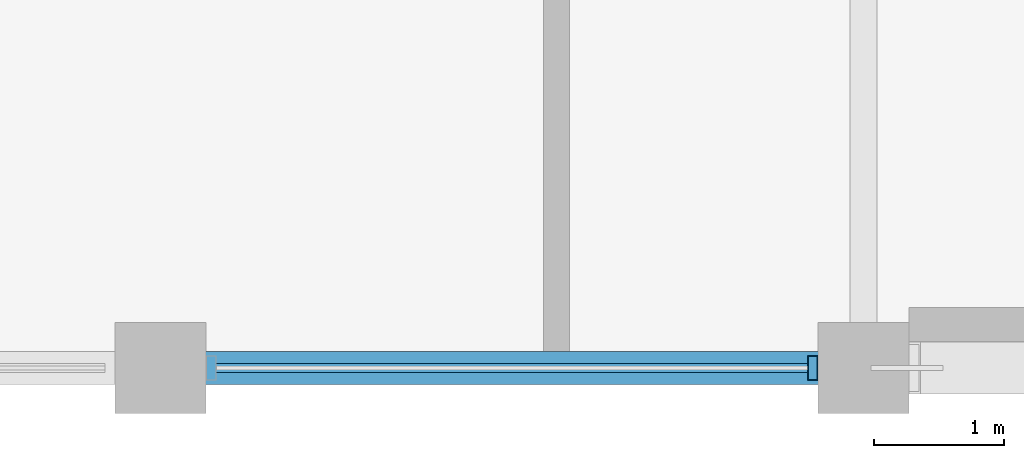
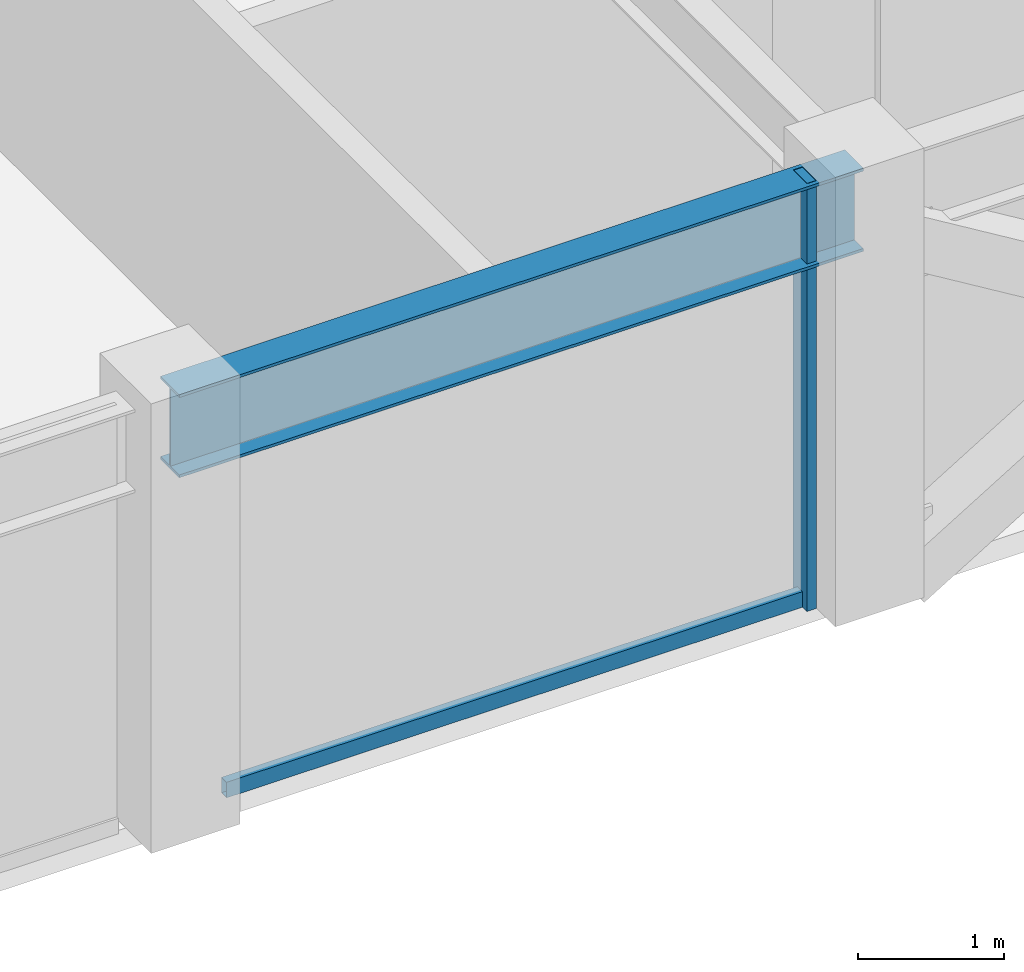
# One storey, part 3 of 30: 2 members, 1 beam, 1 element without a shape of its own.
"""IFC4 building model written with IfcOpenShell, lengths in metres."""

import ifcopenshell
import ifcopenshell.guid

model = None  # the IFC model being written
_history = None  # IfcOwnerHistory: only IFC2X3 demands one
_inside = {}  # id of a spatial element -> (the spatial element, [elements in it])
_under = {}  # id of a project, library or spatial element -> (it, [spatial elements below it])
_declared = {}  # id of a project -> (the project, [libraries it declares])
_typed = {}  # id of a type object -> (the type object, [elements of that type])
_made_of = {}  # id of a material, layer set ... -> (it, [elements and type objects made of it])


def new_model(schema):
    """Start an empty IFC model of exactly this schema.

    Asked for "IFC4X3", IfcOpenShell would pick the latest addendum, in which some entities
    have other attributes; the version numbers below select the first issue.
    IFC2X3 requires an IfcOwnerHistory on every rooted entity: one is made here for all.
    """
    global model, _history
    if schema == "IFC4X3":
        model = ifcopenshell.file(schema_version=(4, 3, 0, 0))
    else:
        model = ifcopenshell.file(schema=schema)
    _inside.clear()
    _under.clear()
    _declared.clear()
    _typed.clear()
    _made_of.clear()
    _history = None
    if model.schema == "IFC2X3":
        org = make("IfcOrganization", Name="unknown")
        user = make(
            "IfcPersonAndOrganization",
            ThePerson=make("IfcPerson", FamilyName="unknown"),
            TheOrganization=org,
        )
        app = make(
            "IfcApplication",
            ApplicationDeveloper=org,
            Version="unknown",
            ApplicationFullName="unknown",
            ApplicationIdentifier="unknown",
        )
        _history = make(
            "IfcOwnerHistory",
            OwningUser=user,
            OwningApplication=app,
            ChangeAction="ADDED",
            CreationDate=0,
        )
    return model


def make(cls, **values):
    """One entity of the class cls with the attributes given. An attribute that is None is left unset."""
    return model.create_entity(
        cls, **{name: value for name, value in values.items() if value is not None}
    )


def rooted(cls, **values):
    """An entity with a GlobalId (a new one), such as an element, a storey or a relation."""
    return make(cls, GlobalId=ifcopenshell.guid.new(), OwnerHistory=_history, **values)


def si_unit(unit_type, name, prefix=None):
    """IfcSIUnit, for example si_unit("LENGTHUNIT", "METRE", prefix="MILLI")."""
    return make("IfcSIUnit", UnitType=unit_type, Prefix=prefix, Name=name)


def assignment(units):
    """IfcUnitAssignment: the units of a project."""
    return None if units is None else make("IfcUnitAssignment", Units=units)


def point(xyz):
    """IfcCartesianPoint."""
    return None if xyz is None else make("IfcCartesianPoint", Coordinates=xyz)


def direction(xyz):
    """IfcDirection."""
    return None if xyz is None else make("IfcDirection", DirectionRatios=xyz)


def frame(location, z_axis=None, x_axis=None):
    """IfcAxis2Placement3D, a coordinate frame: its origin and axes. An axis left out is left unset."""
    return make(
        "IfcAxis2Placement3D",
        Location=point(location),
        Axis=direction(z_axis),
        RefDirection=direction(x_axis),
    )


def frame_2d(location, x_axis=None):
    """IfcAxis2Placement2D, a coordinate frame in the plane: its origin and x axis."""
    return make(
        "IfcAxis2Placement2D", Location=point(location), RefDirection=direction(x_axis)
    )


def origin():
    """The frame at (0, 0, 0) with its axes left unset."""
    return frame((0.0, 0.0, 0.0))


def origin_2d():
    """The frame at (0, 0) in the plane with its x axis left unset."""
    return frame_2d((0.0, 0.0))


def place(relative_to, where):
    """IfcLocalPlacement: puts the frame where relative to a parent placement (None: the world)."""
    return make(
        "IfcLocalPlacement", PlacementRelTo=relative_to, RelativePlacement=where
    )


def context(
    kind, dimensions, precision=None, world=None, true_north=None, identifier=None
):
    """IfcGeometricRepresentationContext, for example the 3D "Model" context."""
    return make(
        "IfcGeometricRepresentationContext",
        ContextIdentifier=identifier,
        ContextType=kind,
        CoordinateSpaceDimension=dimensions,
        Precision=precision,
        WorldCoordinateSystem=world,
        TrueNorth=true_north,
    )


def subcontext(parent, identifier, kind, view, scale=None):
    """IfcGeometricRepresentationSubContext, for example "Body" below "Model"."""
    return make(
        "IfcGeometricRepresentationSubContext",
        ContextIdentifier=identifier,
        ContextType=kind,
        ParentContext=parent,
        TargetScale=scale,
        TargetView=view,
    )


def project(units=None, contexts=None):
    """IfcProject with its units and contexts."""
    return rooted(
        "IfcProject",
        Name="project",
        RepresentationContexts=contexts,
        UnitsInContext=assignment(units),
    )


def spatial(cls, under=None, at=None, **own):
    """A site, building, storey or space (cls), placed at a placement, below another one or the project."""
    s = rooted(cls, ObjectPlacement=at, **own)
    if under is not None:
        _under.setdefault(under.id(), (under, []))[1].append(s)
    return s


def profile(cls, at=None, kind="AREA", **sizes):
    """A parametric profile (cls). Its sizes go by their IFC names, for example OverallWidth=200.0."""
    return make(cls, ProfileType=kind, Position=at, **sizes)


def hollow_rectangle(**sizes):
    """IfcRectangleHollowProfileDef."""
    return profile("IfcRectangleHollowProfileDef", **sizes)


def i_section(**sizes):
    """IfcIShapeProfileDef."""
    return profile("IfcIShapeProfileDef", **sizes)


def extrude(swept, where, along, depth):
    """IfcExtrudedAreaSolid: the profile swept, set in the frame where, extruded along a direction by depth."""
    return make(
        "IfcExtrudedAreaSolid",
        SweptArea=swept,
        Position=where,
        ExtrudedDirection=direction(along),
        Depth=depth,
    )


def shape(context_of_items, identifier, shape_type, items):
    """IfcShapeRepresentation: the items that make up one representation, for example the "Body"."""
    return make(
        "IfcShapeRepresentation",
        ContextOfItems=context_of_items,
        RepresentationIdentifier=identifier,
        RepresentationType=shape_type,
        Items=items,
    )


def material(Name=None, Category=None):
    """IfcMaterial."""
    return make("IfcMaterial", Name=Name, Category=Category)


def layer(
    of_material, thickness, ventilated=None, Name=None, Category=None, Priority=None
):
    """IfcMaterialLayer: one layer of a wall or slab, of a material (None: an air gap)."""
    return make(
        "IfcMaterialLayer",
        Material=of_material,
        LayerThickness=thickness,
        IsVentilated=ventilated,
        Name=Name,
        Category=Category,
        Priority=Priority,
    )


def layer_set(layers, Name=None):
    """IfcMaterialLayerSet."""
    return make("IfcMaterialLayerSet", MaterialLayers=layers, LayerSetName=Name)


def material_profile(
    of_material, cross_section, Name=None, Category=None, Priority=None
):
    """IfcMaterialProfile: a cross section and its material."""
    return make(
        "IfcMaterialProfile",
        Name=Name,
        Material=of_material,
        Profile=cross_section,
        Priority=Priority,
        Category=Category,
    )


def profile_set(profiles, Name=None, composite=None):
    """IfcMaterialProfileSet."""
    return make(
        "IfcMaterialProfileSet",
        Name=Name,
        MaterialProfiles=profiles,
        CompositeProfile=composite,
    )


def made_of(thing, what):
    """Note that an element or type object is made of a material, layer set ...; save() writes the relation."""
    if what is not None:
        _made_of.setdefault(what.id(), (what, []))[1].append(thing)
    return thing


def type_object(cls, material=None, **own):
    """A type object (cls), such as IfcWallType, which elements share."""
    return made_of(rooted(cls, **own), material)


def element(
    cls,
    number,
    at=None,
    inside=None,
    cuts=None,
    type_object=None,
    material=None,
    context=None,
    identifier="Body",
    shape_type=None,
    held_by="IfcProductDefinitionShape",
    body=None,
    shapes=None,
    **own,
):
    """One element of the class cls, such as IfcWall. Its Tag is "e" and its number.

    at: its placement. inside: the storey or other place that contains it. cuts: it is an
    opening in that element (IfcRelVoidsElement). A single representation is given by context,
    identifier, shape_type and body (its items); several are given by shapes. held_by: the class
    of the entity that holds the representations. save() writes the other relations.
    """
    e = rooted(cls, Tag="e%d" % number, ObjectPlacement=at, **own)
    if body is not None:
        shapes = [shape(context, identifier, shape_type, body)]
    if shapes is not None:
        e.Representation = make(held_by, Representations=shapes)
    if inside is not None:
        _inside.setdefault(inside.id(), (inside, []))[1].append(e)
    if cuts is not None:
        rooted(
            "IfcRelVoidsElement", RelatingBuildingElement=cuts, RelatedOpeningElement=e
        )
    if type_object is not None:
        _typed.setdefault(type_object.id(), (type_object, []))[1].append(e)
    return made_of(e, material)


def aggregate(whole, parts):
    """IfcRelAggregates: a whole, such as a stair, and the parts it consists of."""
    return rooted("IfcRelAggregates", RelatingObject=whole, RelatedObjects=parts)


def save(model, path):
    """Write the relations noted so far, then the file.

    IfcRelAggregates (storeys below a building ...), IfcRelContainedInSpatialStructure (elements
    in a storey), IfcRelDefinesByType, IfcRelAssociatesMaterial and IfcRelDeclares: one each for
    every whole, place, type object, material and project.
    """
    for whole, parts in _under.values():
        aggregate(whole, parts)
    for where, things in _inside.values():
        rooted(
            "IfcRelContainedInSpatialStructure",
            RelatedElements=things,
            RelatingStructure=where,
        )
    for kind, things in _typed.values():
        rooted("IfcRelDefinesByType", RelatedObjects=things, RelatingType=kind)
    for what, things in _made_of.values():
        rooted("IfcRelAssociatesMaterial", RelatedObjects=things, RelatingMaterial=what)
    for by, libraries in _declared.values():
        rooted("IfcRelDeclares", RelatingContext=by, RelatedDefinitions=libraries)
    model.write(path)


model = new_model("IFC4")

# Units and contexts
model_context = context("Model", 3, precision=1e-05, world=origin(), true_north=direction((0.0, 1.0)))
body_context = subcontext(model_context, "Body", "Model", "MODEL_VIEW")
ifc_project = project(units=[si_unit("LENGTHUNIT", "METRE"), si_unit("AREAUNIT", "SQUARE_METRE"), si_unit("VOLUMEUNIT", "CUBIC_METRE"), si_unit("PLANEANGLEUNIT", "RADIAN"), si_unit("MASSUNIT", "GRAM", prefix="KILO")], contexts=[model_context])

# Site, building, storey
site_placement = place(None, origin())
site = spatial("IfcSite", under=ifc_project, at=site_placement, CompositionType="ELEMENT")
building_placement = place(site_placement, origin())
building = spatial("IfcBuilding", under=site, at=building_placement, Name="Surkhivell Harbour Commons", CompositionType="ELEMENT")
storey_placement = place(building_placement, frame((0.0, 0.0, 300.0)))
storey = spatial("IfcBuildingStorey", under=building, at=storey_placement, Name="L78", CompositionType="ELEMENT", Elevation=300.0)

# Beam
ifc_material_1 = material(Name="Steel S355", Category="steel")
ifc_material_profile_1 = material_profile(ifc_material_1, i_section(OverallWidth=0.256103515625, OverallDepth=0.693115234375, WebThickness=0.014404296875, FlangeThickness=0.023681640625, at=origin_2d()), Name="UB686x254x170")
ifc_profile_set_1 = profile_set([ifc_material_profile_1], Name="Steel S355")
beam_type = type_object("IfcBeamType", Name="BM-SPN-686", PredefinedType="SPANDREL", material=ifc_profile_set_1)
beam_placement = place(storey_placement, frame((-16.199951171875, -21.60009765625, 3.223388671875), z_axis=(1.0, 0.0, 0.0), x_axis=(0.0, 1.0, 0.0)))
element("IfcBeam", 1, at=beam_placement, inside=storey, type_object=beam_type, Name="L78 Tube Spandrel (-16.2,-21.6)", PredefinedType="SPANDREL", context=body_context, shape_type="SweptSolid", body=[
    extrude(i_section(OverallWidth=0.256103515625, OverallDepth=0.693115234375, WebThickness=0.014404296875, FlangeThickness=0.023681640625, at=origin_2d()), origin(), (0.0, 0.0, 1.0), 5.39990234375),
])

# Curtain wall, members
ifc_material_2 = material(Name="Anodised pale-metal aluminium and insulated glazing", Category="aluminium")
ifc_layer = layer(ifc_material_2, 0.175048828125)
ifc_layer_set = layer_set([ifc_layer], Name="Anodised pale-metal aluminium and insulated glazing")
curtain_wall_type = type_object("IfcCurtainWallType", Name="CW-SYS-Z4", PredefinedType="NOTDEFINED", material=ifc_layer_set)
curtain_wall_placement = place(storey_placement, origin())
curtain_wall = element("IfcCurtainWall", 2, at=curtain_wall_placement, inside=storey, type_object=curtain_wall_type, Name="L78 Curtain Wall CW-L78-E00S1", PredefinedType="NOTDEFINED")
ifc_material_3 = material(Name="Anodised pale-metal aluminium alloy 6063-T6", Category="aluminium")
ifc_material_profile_2 = material_profile(ifc_material_3, hollow_rectangle(XDim=0.074951171875, YDim=0.18994140625, WallThickness=0.00390625, at=origin_2d()), Name="ALU-MULL-75x190")
ifc_profile_set_2 = profile_set([ifc_material_profile_2], Name="Anodised pale-metal aluminium alloy 6063-T6")
member_type_1 = type_object("IfcMemberType", Name="CWM-190", PredefinedType="MULLION", material=ifc_profile_set_2)
member_1_placement = place(storey_placement, frame((-11.189453125, -21.60009765625, 0.0), z_axis=(0.0, 0.0, 1.0), x_axis=(1.0, 0.0, 0.0)))
member_1 = element("IfcMember", 3, at=member_1_placement, type_object=member_type_1, Name="CW-Z4 mullion 3", PredefinedType="MULLION", context=body_context, shape_type="SweptSolid", body=[
    extrude(hollow_rectangle(XDim=0.074951171875, YDim=0.18994140625, WallThickness=0.00390625, at=origin_2d()), origin(), (0.0, 0.0, 1.0), 3.570068359375),
])
ifc_material_4 = material(Name="Champagne anodised aluminium alloy 6063-T6", Category="aluminium")
ifc_material_profile_3 = material_profile(ifc_material_4, hollow_rectangle(XDim=0.070068359375, YDim=0.1298828125, WallThickness=0.00341796875, at=origin_2d()), Name="ALU-TRAN-70x130")
ifc_profile_set_3 = profile_set([ifc_material_profile_3], Name="Champagne anodised aluminium alloy 6063-T6")
member_type_2 = type_object("IfcMemberType", Name="CWT-130", PredefinedType="USERDEFINED", material=ifc_profile_set_3)
member_2_placement = place(storey_placement, frame((-15.77294921875, -21.60009765625, 0.06494140625), z_axis=(1.0, 0.0, 0.0), x_axis=(0.0, 1.0, 0.0)))
member_2 = element("IfcMember", 4, at=member_2_placement, type_object=member_type_2, Name="CW-Z4 transom 2.1", ObjectType="TRANSOM", PredefinedType="USERDEFINED", context=body_context, shape_type="SweptSolid", body=[
    extrude(hollow_rectangle(XDim=0.070068359375, YDim=0.1298828125, WallThickness=0.00341796875, at=origin_2d()), origin(), (0.0, 0.0, 1.0), 4.5458984375),
])
aggregate(curtain_wall, [member_1, member_2])

save(model, "model.ifc")
